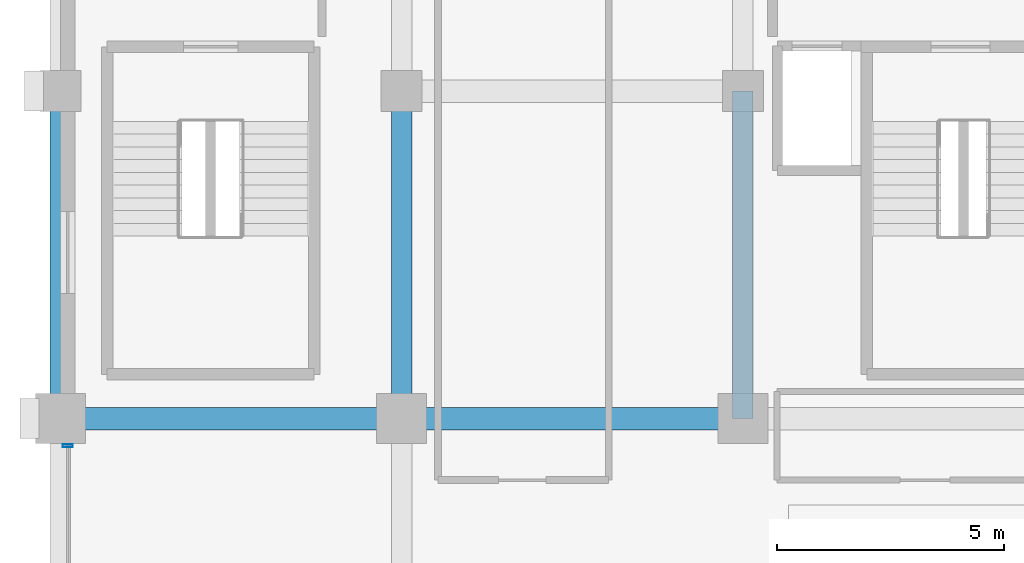
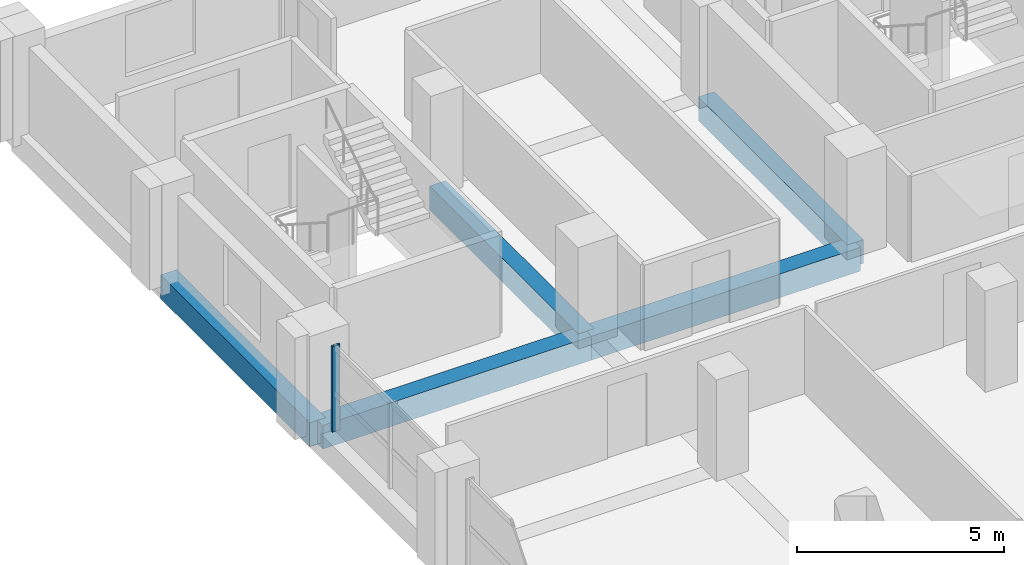
# One storey, part 8 of 21: 5 beams, 1 member, 1 element without a shape of its own.
"""IFC4 building model written with IfcOpenShell, lengths in metres."""

from ifc_helpers import new_model, si_unit, direction, frame, origin, origin_2d, place, context, subcontext, project, spatial, rectangle, hollow_rectangle, extrude, material, material_profile, profile_set, type_object, element, aggregate, save


model = new_model("IFC4")

# Units and contexts
model_context = context("Model", 3, precision=1e-05, world=origin(), true_north=direction((0.0, 1.0)))
body_context = subcontext(model_context, "Body", "Model", "MODEL_VIEW")
ifc_project = project(units=[si_unit("LENGTHUNIT", "METRE"), si_unit("AREAUNIT", "SQUARE_METRE"), si_unit("VOLUMEUNIT", "CUBIC_METRE"), si_unit("PLANEANGLEUNIT", "RADIAN"), si_unit("MASSUNIT", "GRAM", prefix="KILO")], contexts=[model_context])

# Site, building, storey
site_placement = place(None, origin())
site = spatial("IfcSite", under=ifc_project, at=site_placement, CompositionType="ELEMENT")
building_placement = place(site_placement, origin())
building = spatial("IfcBuilding", under=site, at=building_placement, Name="Akrevak Sports Hall", CompositionType="ELEMENT")
storey_placement = place(building_placement, frame((0.0, 0.0, 27.550048828125)))
storey = spatial("IfcBuildingStorey", under=building, at=storey_placement, Name="L05", CompositionType="ELEMENT", Elevation=27.550048828125)

# Curtain wall, member
ifc_material_1 = material(Name="Anodized Bronze Aluminium & Low-E Glass", Category="aluminium")
curtain_wall_type = type_object("IfcCurtainWallType", Name="ARC-CW-TWR-68x30", PredefinedType="NOTDEFINED", material=ifc_material_1)
curtain_wall_placement = place(storey_placement, origin())
curtain_wall = element("IfcCurtainWall", 1, at=curtain_wall_placement, inside=storey, type_object=curtain_wall_type, Name="Curtain Wall CW-L05-W30", PredefinedType="NOTDEFINED")
ifc_material_2 = material(Name="Anodized Bronze Aluminium", Category="aluminium")
ifc_material_profile_1 = material_profile(ifc_material_2, hollow_rectangle(XDim=0.06494140625, YDim=0.219970703125, WallThickness=0.00439453125, at=origin_2d()), Name="CWM 65x220", Category="aluminium")
ifc_profile_set_1 = profile_set([ifc_material_profile_1], Name="Anodized Bronze Aluminium")
member_type = type_object("IfcMemberType", Name="ARC-CWM-70x160", PredefinedType="MULLION", material=ifc_profile_set_1)
member_placement = place(storey_placement, frame((45.159912109375, 54.610107421875, 0.0), z_axis=(0.0, 0.0, 1.0), x_axis=(0.0, -1.0, 0.0)))
member = element("IfcMember", 2, at=member_placement, type_object=member_type, Name="Curtain Wall Mullion CW-L05-W30-M1", PredefinedType="MULLION", context=body_context, shape_type="SweptSolid", body=[
    extrude(hollow_rectangle(XDim=0.06494140625, YDim=0.219970703125, WallThickness=0.00439453125, at=origin_2d()), origin(), (0.0, 0.0, 1.0), 2.530029296875),
])
aggregate(curtain_wall, [member])

# Beams
ifc_material_3 = material(Name="Concrete C40/50", Category="concrete")
ifc_material_profile_2 = material_profile(ifc_material_3, rectangle(XDim=0.449951171875, YDim=0.699951171875, at=origin_2d()), Name="BM 450x700", Category="concrete")
ifc_profile_set_2 = profile_set([ifc_material_profile_2], Name="Concrete C40/50")
beam_type_1 = type_object("IfcBeamType", Name="STR-BM-RC450x700", PredefinedType="BEAM", material=ifc_profile_set_2)
for number, where, z_axis, x_axis, name in (
    (3, (45.0, 55.199951171875, -0.35009765625), (0.0, 1.0, 0.0), (-1.0, 0.0, 0.0), "Girder 7/I-J (L05)"),
    (4, (52.5, 55.199951171875, -0.35009765625), (0.0, 1.0, 0.0), (-1.0, 0.0, 0.0), "Girder 8/I-J (L05)"),
    (5, (60.0, 55.199951171875, -0.35009765625), (0.0, 1.0, 0.0), (-1.0, 0.0, 0.0), "Girder 9/I-J (L05)"),
):
    element("IfcBeam", number, at=place(storey_placement, frame(where, z_axis=z_axis, x_axis=x_axis)), inside=storey, type_object=beam_type_1, Name=name, PredefinedType="BEAM", context=body_context, shape_type="SweptSolid", body=[
        extrude(rectangle(XDim=0.449951171875, YDim=0.699951171875, at=origin_2d()), origin(), (0.0, 0.0, 1.0), 7.199951171875),
    ])
ifc_material_profile_3 = material_profile(ifc_material_3, rectangle(XDim=0.5, YDim=0.699951171875, at=origin_2d()), Name="BM 500x700", Category="concrete")
ifc_profile_set_3 = profile_set([ifc_material_profile_3], Name="Concrete C40/50")
beam_type_2 = type_object("IfcBeamType", Name="STR-BM-RC500x700", PredefinedType="BEAM", material=ifc_profile_set_3)
for number, where, z_axis, x_axis, name in (
    (6, (45.0, 55.199951171875, -0.35009765625), (1.0, 0.0, 0.0), (0.0, 1.0, 0.0), "Girder I/7-8 (L05)"),
    (7, (52.5, 55.199951171875, -0.35009765625), (1.0, 0.0, 0.0), (0.0, 1.0, 0.0), "Girder I/8-9 (L05)"),
):
    element("IfcBeam", number, at=place(storey_placement, frame(where, z_axis=z_axis, x_axis=x_axis)), inside=storey, type_object=beam_type_2, Name=name, PredefinedType="BEAM", context=body_context, shape_type="SweptSolid", body=[
        extrude(rectangle(XDim=0.5, YDim=0.699951171875, at=origin_2d()), origin(), (0.0, 0.0, 1.0), 7.5),
    ])

save(model, "model.ifc")
